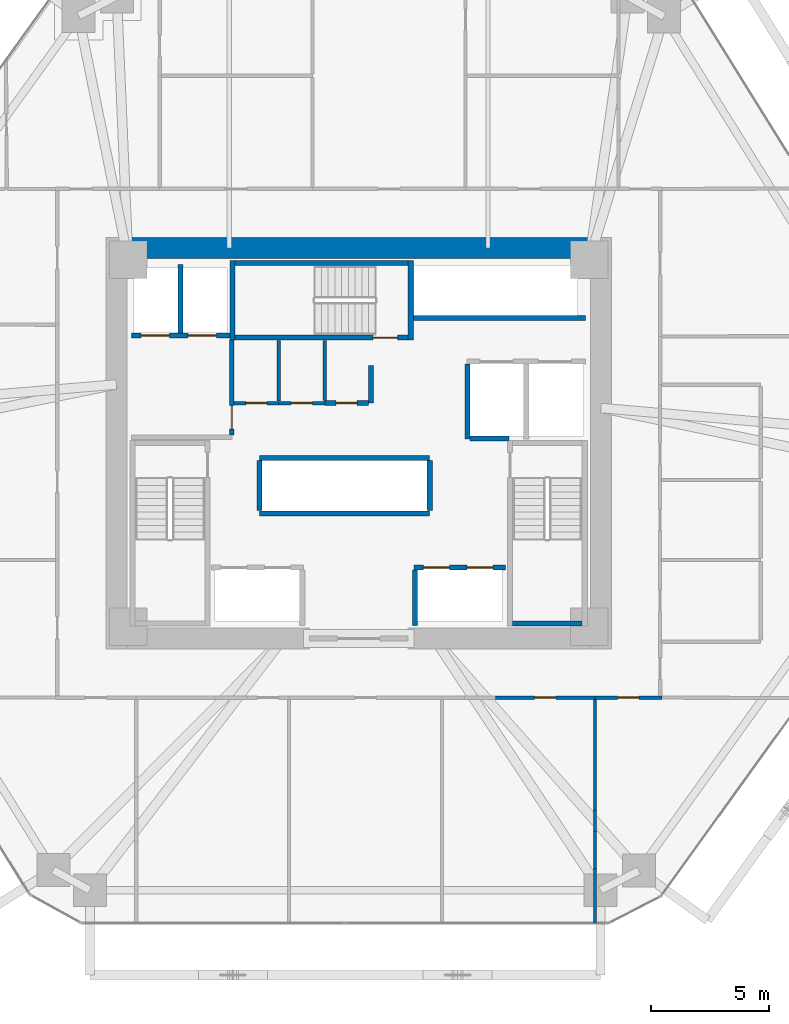
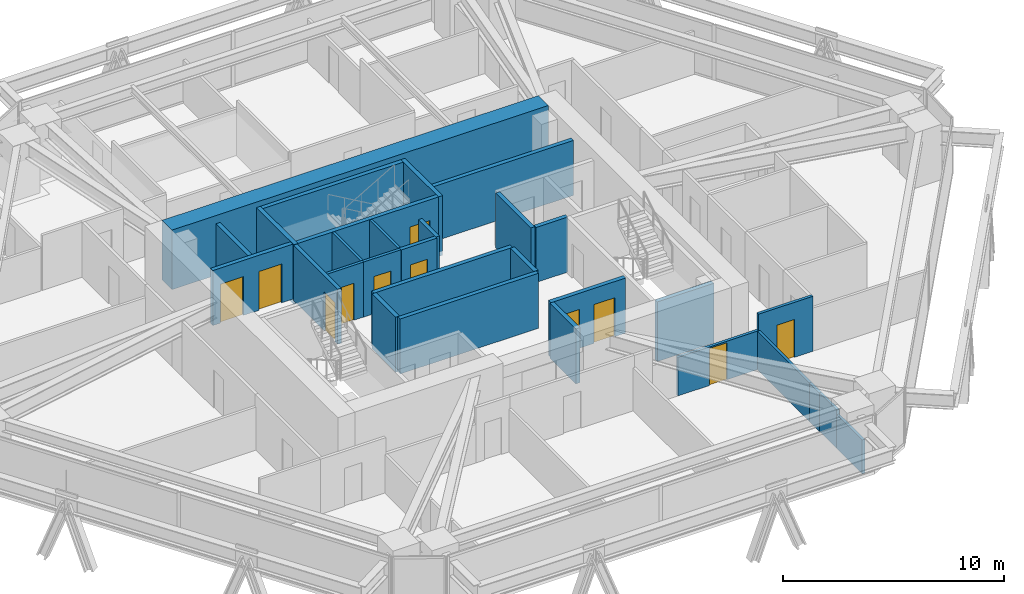
# One storey, part 14 of 17: 30 walls, 11 doors, 11 openings.
"""IFC4 building model written with IfcOpenShell, lengths in metres."""

import ifcopenshell
import ifcopenshell.guid

model = None  # the IFC model being written
_history = None  # IfcOwnerHistory: only IFC2X3 demands one
_inside = {}  # id of a spatial element -> (the spatial element, [elements in it])
_under = {}  # id of a project, library or spatial element -> (it, [spatial elements below it])
_declared = {}  # id of a project -> (the project, [libraries it declares])
_typed = {}  # id of a type object -> (the type object, [elements of that type])
_made_of = {}  # id of a material, layer set ... -> (it, [elements and type objects made of it])


def new_model(schema):
    """Start an empty IFC model of exactly this schema.

    Asked for "IFC4X3", IfcOpenShell would pick the latest addendum, in which some entities
    have other attributes; the version numbers below select the first issue.
    IFC2X3 requires an IfcOwnerHistory on every rooted entity: one is made here for all.
    """
    global model, _history
    if schema == "IFC4X3":
        model = ifcopenshell.file(schema_version=(4, 3, 0, 0))
    else:
        model = ifcopenshell.file(schema=schema)
    _inside.clear()
    _under.clear()
    _declared.clear()
    _typed.clear()
    _made_of.clear()
    _history = None
    if model.schema == "IFC2X3":
        org = make("IfcOrganization", Name="unknown")
        user = make(
            "IfcPersonAndOrganization",
            ThePerson=make("IfcPerson", FamilyName="unknown"),
            TheOrganization=org,
        )
        app = make(
            "IfcApplication",
            ApplicationDeveloper=org,
            Version="unknown",
            ApplicationFullName="unknown",
            ApplicationIdentifier="unknown",
        )
        _history = make(
            "IfcOwnerHistory",
            OwningUser=user,
            OwningApplication=app,
            ChangeAction="ADDED",
            CreationDate=0,
        )
    return model


def make(cls, **values):
    """One entity of the class cls with the attributes given. An attribute that is None is left unset."""
    return model.create_entity(
        cls, **{name: value for name, value in values.items() if value is not None}
    )


def rooted(cls, **values):
    """An entity with a GlobalId (a new one), such as an element, a storey or a relation."""
    return make(cls, GlobalId=ifcopenshell.guid.new(), OwnerHistory=_history, **values)


def si_unit(unit_type, name, prefix=None):
    """IfcSIUnit, for example si_unit("LENGTHUNIT", "METRE", prefix="MILLI")."""
    return make("IfcSIUnit", UnitType=unit_type, Prefix=prefix, Name=name)


def assignment(units):
    """IfcUnitAssignment: the units of a project."""
    return None if units is None else make("IfcUnitAssignment", Units=units)


def point(xyz):
    """IfcCartesianPoint."""
    return None if xyz is None else make("IfcCartesianPoint", Coordinates=xyz)


def direction(xyz):
    """IfcDirection."""
    return None if xyz is None else make("IfcDirection", DirectionRatios=xyz)


def frame(location, z_axis=None, x_axis=None):
    """IfcAxis2Placement3D, a coordinate frame: its origin and axes. An axis left out is left unset."""
    return make(
        "IfcAxis2Placement3D",
        Location=point(location),
        Axis=direction(z_axis),
        RefDirection=direction(x_axis),
    )


def frame_2d(location, x_axis=None):
    """IfcAxis2Placement2D, a coordinate frame in the plane: its origin and x axis."""
    return make(
        "IfcAxis2Placement2D", Location=point(location), RefDirection=direction(x_axis)
    )


def origin():
    """The frame at (0, 0, 0) with its axes left unset."""
    return frame((0.0, 0.0, 0.0))


def place(relative_to, where):
    """IfcLocalPlacement: puts the frame where relative to a parent placement (None: the world)."""
    return make(
        "IfcLocalPlacement", PlacementRelTo=relative_to, RelativePlacement=where
    )


def context(
    kind, dimensions, precision=None, world=None, true_north=None, identifier=None
):
    """IfcGeometricRepresentationContext, for example the 3D "Model" context."""
    return make(
        "IfcGeometricRepresentationContext",
        ContextIdentifier=identifier,
        ContextType=kind,
        CoordinateSpaceDimension=dimensions,
        Precision=precision,
        WorldCoordinateSystem=world,
        TrueNorth=true_north,
    )


def subcontext(parent, identifier, kind, view, scale=None):
    """IfcGeometricRepresentationSubContext, for example "Body" below "Model"."""
    return make(
        "IfcGeometricRepresentationSubContext",
        ContextIdentifier=identifier,
        ContextType=kind,
        ParentContext=parent,
        TargetScale=scale,
        TargetView=view,
    )


def project(units=None, contexts=None):
    """IfcProject with its units and contexts."""
    return rooted(
        "IfcProject",
        Name="project",
        RepresentationContexts=contexts,
        UnitsInContext=assignment(units),
    )


def spatial(cls, under=None, at=None, **own):
    """A site, building, storey or space (cls), placed at a placement, below another one or the project."""
    s = rooted(cls, ObjectPlacement=at, **own)
    if under is not None:
        _under.setdefault(under.id(), (under, []))[1].append(s)
    return s


def profile(cls, at=None, kind="AREA", **sizes):
    """A parametric profile (cls). Its sizes go by their IFC names, for example OverallWidth=200.0."""
    return make(cls, ProfileType=kind, Position=at, **sizes)


def rectangle(**sizes):
    """IfcRectangleProfileDef."""
    return profile("IfcRectangleProfileDef", **sizes)


def extrude(swept, where, along, depth):
    """IfcExtrudedAreaSolid: the profile swept, set in the frame where, extruded along a direction by depth."""
    return make(
        "IfcExtrudedAreaSolid",
        SweptArea=swept,
        Position=where,
        ExtrudedDirection=direction(along),
        Depth=depth,
    )


def shape(context_of_items, identifier, shape_type, items):
    """IfcShapeRepresentation: the items that make up one representation, for example the "Body"."""
    return make(
        "IfcShapeRepresentation",
        ContextOfItems=context_of_items,
        RepresentationIdentifier=identifier,
        RepresentationType=shape_type,
        Items=items,
    )


def source(mapping_origin, context_of_items, identifier, shape_type, items):
    """IfcRepresentationMap: a shape defined once, which mapped items show again and again."""
    return make(
        "IfcRepresentationMap",
        MappingOrigin=mapping_origin,
        MappedRepresentation=shape(context_of_items, identifier, shape_type, items),
    )


def transform(
    local_origin,
    x_axis=None,
    y_axis=None,
    z_axis=None,
    scale=None,
    scale2=None,
    scale3=None,
    uniform=True,
):
    """IfcCartesianTransformationOperator3D, or its non-uniform kind. x_axis, y_axis, z_axis: its Axis1, 2, 3."""
    if uniform:
        return make(
            "IfcCartesianTransformationOperator3D",
            Axis1=direction(x_axis),
            Axis2=direction(y_axis),
            LocalOrigin=point(local_origin),
            Scale=scale,
            Axis3=direction(z_axis),
        )
    return make(
        "IfcCartesianTransformationOperator3DnonUniform",
        Axis1=direction(x_axis),
        Axis2=direction(y_axis),
        LocalOrigin=point(local_origin),
        Scale=scale,
        Axis3=direction(z_axis),
        Scale2=scale2,
        Scale3=scale3,
    )


def mapped(mapping_source, mapping_target):
    """IfcMappedItem: shows the shape of a source again, moved by a transform."""
    return make(
        "IfcMappedItem", MappingSource=mapping_source, MappingTarget=mapping_target
    )


def material(Name=None, Category=None):
    """IfcMaterial."""
    return make("IfcMaterial", Name=Name, Category=Category)


def layer(
    of_material, thickness, ventilated=None, Name=None, Category=None, Priority=None
):
    """IfcMaterialLayer: one layer of a wall or slab, of a material (None: an air gap)."""
    return make(
        "IfcMaterialLayer",
        Material=of_material,
        LayerThickness=thickness,
        IsVentilated=ventilated,
        Name=Name,
        Category=Category,
        Priority=Priority,
    )


def layer_set(layers, Name=None):
    """IfcMaterialLayerSet."""
    return make("IfcMaterialLayerSet", MaterialLayers=layers, LayerSetName=Name)


def made_of(thing, what):
    """Note that an element or type object is made of a material, layer set ...; save() writes the relation."""
    if what is not None:
        _made_of.setdefault(what.id(), (what, []))[1].append(thing)
    return thing


def type_object(cls, material=None, **own):
    """A type object (cls), such as IfcWallType, which elements share."""
    return made_of(rooted(cls, **own), material)


def type_shapes(of_type, sources):
    """Give a type object the sources (RepresentationMaps) that its elements show as mapped items."""
    of_type.RepresentationMaps = sources


def element(
    cls,
    number,
    at=None,
    inside=None,
    cuts=None,
    type_object=None,
    material=None,
    context=None,
    identifier="Body",
    shape_type=None,
    held_by="IfcProductDefinitionShape",
    body=None,
    shapes=None,
    **own,
):
    """One element of the class cls, such as IfcWall. Its Tag is "e" and its number.

    at: its placement. inside: the storey or other place that contains it. cuts: it is an
    opening in that element (IfcRelVoidsElement). A single representation is given by context,
    identifier, shape_type and body (its items); several are given by shapes. held_by: the class
    of the entity that holds the representations. save() writes the other relations.
    """
    e = rooted(cls, Tag="e%d" % number, ObjectPlacement=at, **own)
    if body is not None:
        shapes = [shape(context, identifier, shape_type, body)]
    if shapes is not None:
        e.Representation = make(held_by, Representations=shapes)
    if inside is not None:
        _inside.setdefault(inside.id(), (inside, []))[1].append(e)
    if cuts is not None:
        rooted(
            "IfcRelVoidsElement", RelatingBuildingElement=cuts, RelatedOpeningElement=e
        )
    if type_object is not None:
        _typed.setdefault(type_object.id(), (type_object, []))[1].append(e)
    return made_of(e, material)


def fill(opening, filler):
    """IfcRelFillsElement: the door or window that sits in an opening."""
    return rooted(
        "IfcRelFillsElement",
        RelatingOpeningElement=opening,
        RelatedBuildingElement=filler,
    )


def aggregate(whole, parts):
    """IfcRelAggregates: a whole, such as a stair, and the parts it consists of."""
    return rooted("IfcRelAggregates", RelatingObject=whole, RelatedObjects=parts)


def save(model, path):
    """Write the relations noted so far, then the file.

    IfcRelAggregates (storeys below a building ...), IfcRelContainedInSpatialStructure (elements
    in a storey), IfcRelDefinesByType, IfcRelAssociatesMaterial and IfcRelDeclares: one each for
    every whole, place, type object, material and project.
    """
    for whole, parts in _under.values():
        aggregate(whole, parts)
    for where, things in _inside.values():
        rooted(
            "IfcRelContainedInSpatialStructure",
            RelatedElements=things,
            RelatingStructure=where,
        )
    for kind, things in _typed.values():
        rooted("IfcRelDefinesByType", RelatedObjects=things, RelatingType=kind)
    for what, things in _made_of.values():
        rooted("IfcRelAssociatesMaterial", RelatedObjects=things, RelatingMaterial=what)
    for by, libraries in _declared.values():
        rooted("IfcRelDeclares", RelatingContext=by, RelatedDefinitions=libraries)
    model.write(path)


model = new_model("IFC4")

# Units and contexts
model_context = context("Model", 3, precision=1e-05, world=origin(), true_north=direction((0.0, 1.0)))
body_context = subcontext(model_context, "Body", "Model", "MODEL_VIEW")
ifc_project = project(units=[si_unit("LENGTHUNIT", "METRE"), si_unit("AREAUNIT", "SQUARE_METRE"), si_unit("VOLUMEUNIT", "CUBIC_METRE"), si_unit("PLANEANGLEUNIT", "RADIAN"), si_unit("MASSUNIT", "GRAM", prefix="KILO")], contexts=[model_context])

# Site, building, storey
site_placement = place(None, origin())
site = spatial("IfcSite", under=ifc_project, at=site_placement, CompositionType="ELEMENT")
building_placement = place(site_placement, origin())
building = spatial("IfcBuilding", under=site, at=building_placement, Name="Durnholm Broadcast Tower", CompositionType="ELEMENT")
storey_placement = place(building_placement, frame((0.0, 0.0, 39.0)))
storey = spatial("IfcBuildingStorey", under=building, at=storey_placement, Name="L08", CompositionType="ELEMENT", Elevation=39.0)

# Wall
ifc_material_1 = material(Name="Concrete C70/85", Category="concrete")
ifc_layer_1 = layer(ifc_material_1, 0.89990234375)
ifc_layer_set_1 = layer_set([ifc_layer_1], Name="Concrete C70/85")
wall_type_1 = type_object("IfcWallType", Name="WALL-CW-900", PredefinedType="SHEAR", material=ifc_layer_set_1)
wall_1_placement = place(storey_placement, frame((-9.85009765625, 8.300048828125, 0.0), z_axis=(0.0, 0.0, 1.0), x_axis=(1.0, 0.0, 0.0)))
element("IfcWall", 1, at=wall_1_placement, inside=storey, type_object=wall_type_1, Name="L08 central core shear wall CW-N", PredefinedType="SHEAR", context=body_context, shape_type="SweptSolid", body=[
    extrude(rectangle(XDim=19.7001953125, YDim=0.89990234375, at=frame_2d((9.85009765625, 0.0))), origin(), (0.0, 0.0, 1.0), 3.300048828125),
])

# Wall, opening, door
ifc_material_2 = material(Name="Fire-Rated Gypsum Shaftwall", Category="concrete")
ifc_layer_2 = layer(ifc_material_2, 0.199951171875)
ifc_layer_set_2 = layer_set([ifc_layer_2], Name="Fire-Rated Gypsum Shaftwall")
wall_type_2 = type_object("IfcWallType", Name="WALL-LOB-200", PredefinedType="SOLIDWALL", material=ifc_layer_set_2)
wall_2_placement = place(storey_placement, frame((-5.39990234375, 0.35400390625, 0.0), z_axis=(0.0, 0.0, 1.0), x_axis=(0.0, 1.0, 0.0)))
wall_2 = element("IfcWall", 2, at=wall_2_placement, inside=storey, type_object=wall_type_2, Name="L08 Fire Service Access Elevator lobby east fire wall", PredefinedType="SOLIDWALL", context=body_context, shape_type="SweptSolid", body=[
    extrude(rectangle(XDim=4.02587890625, YDim=0.199951171875, at=frame_2d((2.012939453125, 0.0))), origin(), (0.0, 0.0, 1.0), 3.044921875),
])
opening_1_placement = place(wall_2_placement, frame((0.24609375, 0.0, 0.0)))
opening_1 = element("IfcOpeningElement", 3, at=opening_1_placement, cuts=wall_2, Name="Opening DL-60L", PredefinedType="OPENING", context=body_context, shape_type="SweptSolid", body=[
    extrude(rectangle(XDim=1.0, YDim=2.14990234375, at=frame_2d((0.5, 1.074951171875))), frame((0.0, 0.10986328125, 0.0), z_axis=(0.0, -1.0, 0.0), x_axis=(1.0, 0.0, 0.0)), (0.0, 0.0, 1.0), 0.219970703125),
])
ifc_material_3 = material(Name="Fire-Rated Timber/Steel Door", Category="steel")
ifc_layer_3 = layer(ifc_material_3, 0.050048828125)
ifc_layer_set_3 = layer_set([ifc_layer_3], Name="Fire-Rated Timber/Steel Door")
door_type_1 = type_object("IfcDoorType", Name="DOOR-LOB-FD60-L", OperationType="NOTDEFINED", PredefinedType="DOOR", material=ifc_layer_set_3)
shared_shape_1 = source(origin(), body_context, "Body", "SweptSolid", [
    extrude(rectangle(XDim=1.0, YDim=2.14990234375, at=frame_2d((0.5, 1.074951171875))), frame((0.0, 0.02490234375, 0.0), z_axis=(0.0, -1.0, 0.0), x_axis=(1.0, 0.0, 0.0)), (0.0, 0.0, 1.0), 0.050048828125),
])
type_shapes(door_type_1, [shared_shape_1])
door_1_placement = place(opening_1_placement, origin())
door_1 = element("IfcDoor", 4, at=door_1_placement, inside=storey, type_object=door_type_1, Name="L08 Fire Service Access Elevator lobby smoke door", OperationType="SINGLE_SWING_LEFT", OverallHeight=2.14990234375, OverallWidth=1.0, PredefinedType="DOOR", context=body_context, shape_type="MappedRepresentation", body=[
    mapped(shared_shape_1, transform((0.0, 0.0, 0.0), x_axis=(1.0, 0.0, 0.0), y_axis=(0.0, 1.0, 0.0), z_axis=(0.0, 0.0, 1.0), scale=1.0)),
])
fill(opening_1, door_1)

# Wall
wall_3_placement = place(storey_placement, frame((0.52001953125, 3.300048828125, 0.0), z_axis=(0.0, 0.0, 1.0), x_axis=(0.0, -1.0, 0.0)))
element("IfcWall", 5, at=wall_3_placement, inside=storey, type_object=wall_type_2, Name="L08 Core Telecom Patch Room corridor partition", PredefinedType="SOLIDWALL", context=body_context, shape_type="SweptSolid", body=[
    extrude(rectangle(XDim=1.590087890625, YDim=0.199951171875, at=frame_2d((0.794921875, 0.0))), origin(), (0.0, 0.0, 1.0), 3.044921875),
])

# Wall, opening, door
wall_4_placement = place(storey_placement, frame((0.416015625, 1.7099609375, 0.0), z_axis=(0.0, 0.0, 1.0), x_axis=(-1.0, 0.0, 0.0)))
wall_4 = element("IfcWall", 6, at=wall_4_placement, inside=storey, type_object=wall_type_2, Name="L08 Core Telecom Patch Room corridor partition", PredefinedType="SOLIDWALL", context=body_context, shape_type="SweptSolid", body=[
    extrude(rectangle(XDim=1.85595703125, YDim=0.199951171875, at=frame_2d((0.927978515625, 0.0))), origin(), (0.0, 0.0, 1.0), 3.044921875),
])
opening_2_placement = place(wall_4_placement, frame((0.47802734375, 0.0, 0.0)))
opening_2 = element("IfcOpeningElement", 7, at=opening_2_placement, cuts=wall_4, Name="Opening DC-60L", PredefinedType="OPENING", context=body_context, shape_type="SweptSolid", body=[
    extrude(rectangle(XDim=0.89990234375, YDim=2.050048828125, at=frame_2d((0.449951171875, 1.02490234375))), frame((0.0, 0.10986328125, 0.0), z_axis=(0.0, -1.0, 0.0), x_axis=(1.0, 0.0, 0.0)), (0.0, 0.0, 1.0), 0.219970703125),
])
ifc_material_4 = material(Name="Fire-Rated Core Service Door", Category="steel")
ifc_layer_4 = layer(ifc_material_4, 0.050048828125)
ifc_layer_set_4 = layer_set([ifc_layer_4], Name="Fire-Rated Core Service Door")
door_type_2 = type_object("IfcDoorType", Name="DOOR-CORE-FD60-L", OperationType="NOTDEFINED", PredefinedType="DOOR", material=ifc_layer_set_4)
shared_shape_2 = source(origin(), body_context, "Body", "SweptSolid", [
    extrude(rectangle(XDim=0.89990234375, YDim=2.050048828125, at=frame_2d((0.449951171875, 1.02490234375))), frame((0.0, 0.02490234375, 0.0), z_axis=(0.0, -1.0, 0.0), x_axis=(1.0, 0.0, 0.0)), (0.0, 0.0, 1.0), 0.050048828125),
])
type_shapes(door_type_2, [shared_shape_2])
door_2_placement = place(opening_2_placement, origin())
door_2 = element("IfcDoor", 8, at=door_2_placement, inside=storey, type_object=door_type_2, Name="L08 Core Telecom Patch Room entrance door", OperationType="SINGLE_SWING_LEFT", OverallHeight=2.050048828125, OverallWidth=0.89990234375, PredefinedType="DOOR", context=body_context, shape_type="MappedRepresentation", body=[
    mapped(shared_shape_2, transform((0.0, 0.0, 0.0), x_axis=(1.0, 0.0, 0.0), y_axis=(0.0, 1.0, 0.0), z_axis=(0.0, 0.0, 1.0), scale=1.0)),
])
fill(opening_2, door_2)

# Walls
ifc_material_5 = material(Name="Gypsum Metal Stud Partition", Category="concrete")
ifc_layer_5 = layer(ifc_material_5, 0.135009765625)
ifc_layer_set_5 = layer_set([ifc_layer_5], Name="Gypsum Metal Stud Partition")
wall_type_3 = type_object("IfcWallType", Name="WALL-PART-135", PredefinedType="PARTITIONING", material=ifc_layer_set_5)
wall_5_placement = place(storey_placement, frame((-3.39990234375, 4.375, 0.0), z_axis=(0.0, 0.0, 1.0), x_axis=(0.0, -1.0, 0.0)))
element("IfcWall", 9, at=wall_5_placement, inside=storey, type_object=wall_type_3, Name="L08 room dividing partition 1.2", PredefinedType="PARTITIONING", context=body_context, shape_type="SweptSolid", body=[
    extrude(rectangle(XDim=2.5859375, YDim=0.135009765625, at=frame_2d((1.29296875, 0.0))), origin(), (0.0, 0.0, 1.0), 3.044921875),
])
wall_6_placement = place(storey_placement, frame((-1.43994140625, 4.375, 0.0), z_axis=(0.0, 0.0, 1.0), x_axis=(0.0, -1.0, 0.0)))
element("IfcWall", 10, at=wall_6_placement, inside=storey, type_object=wall_type_3, Name="L08 room dividing partition 2.3", PredefinedType="PARTITIONING", context=body_context, shape_type="SweptSolid", body=[
    extrude(rectangle(XDim=2.56103515625, YDim=0.135009765625, at=frame_2d((1.280517578125, 0.0))), origin(), (0.0, 0.0, 1.0), 3.044921875),
])
wall_7_placement = place(storey_placement, frame((10.0400390625, -10.888916015625, 0.0), z_axis=(0.0, 0.0, 1.0), x_axis=(0.0, -1.0, 0.0)))
element("IfcWall", 11, at=wall_7_placement, inside=storey, type_object=wall_type_3, Name="L08 room dividing partition 18.19", PredefinedType="PARTITIONING", context=body_context, shape_type="SweptSolid", body=[
    extrude(rectangle(XDim=4.706787109375, YDim=0.135009765625, at=frame_2d((2.353515625, 0.0))), origin(), (0.0, 0.0, 1.0), 2.130126953125),
])
wall_8_placement = place(storey_placement, frame((10.0400390625, -16.508544921875, 0.0), z_axis=(0.0, 0.0, 1.0), x_axis=(0.0, -1.0, 0.0)))
element("IfcWall", 12, at=wall_8_placement, inside=storey, type_object=wall_type_3, Name="L08 room dividing partition 18.19", PredefinedType="PARTITIONING", context=body_context, shape_type="SweptSolid", body=[
    extrude(rectangle(XDim=1.57763671875, YDim=0.135009765625, at=frame_2d((0.788818359375, 0.0))), origin(), (0.0, 0.0, 1.0), 2.130126953125),
])
wall_9_placement = place(storey_placement, frame((10.0400390625, -15.595703125, 0.0), z_axis=(0.0, 0.0, 1.0), x_axis=(0.0, -1.0, 0.0)))
element("IfcWall", 13, at=wall_9_placement, inside=storey, type_object=wall_type_3, Name="L08 room dividing partition 18.19", PredefinedType="PARTITIONING", context=body_context, shape_type="SweptSolid", body=[
    extrude(rectangle(XDim=0.912841796875, YDim=0.135009765625, at=frame_2d((0.45654296875, 0.0))), origin(), (0.0, 0.0, 1.0), 2.130126953125),
])
wall_10_placement = place(storey_placement, frame((10.0400390625, -18.086181640625, 0.0), z_axis=(0.0, 0.0, 1.0), x_axis=(0.0, -1.0, 0.0)))
element("IfcWall", 14, at=wall_10_placement, inside=storey, type_object=wall_type_3, Name="L08 room dividing partition 18.19", PredefinedType="PARTITIONING", context=body_context, shape_type="SweptSolid", body=[
    extrude(rectangle(XDim=2.313720703125, YDim=0.135009765625, at=frame_2d((1.15673828125, 0.0))), origin(), (0.0, 0.0, 1.0), 1.877197265625),
])

# Wall, opening, door
ifc_material_6 = material(Name="Acoustic Gypsum Stud Partition", Category="concrete")
ifc_layer_6 = layer(ifc_material_6, 0.14990234375)
ifc_layer_set_6 = layer_set([ifc_layer_6], Name="Acoustic Gypsum Stud Partition")
wall_type_4 = type_object("IfcWallType", Name="WALL-PART-150", PredefinedType="PARTITIONING", material=ifc_layer_set_6)
wall_11_placement = place(storey_placement, frame((-3.39990234375, 1.7099609375, 0.0), z_axis=(0.0, 0.0, 1.0), x_axis=(-1.0, 0.0, 0.0)))
wall_11 = element("IfcWall", 15, at=wall_11_placement, inside=storey, type_object=wall_type_4, Name="L08 Core Copy and Print Closet corridor partition", PredefinedType="PARTITIONING", context=body_context, shape_type="SweptSolid", body=[
    extrude(rectangle(XDim=1.89599609375, YDim=0.14990234375, at=frame_2d((0.947998046875, 0.0))), origin(), (0.0, 0.0, 1.0), 3.044921875),
])
opening_3_placement = place(wall_11_placement, frame((0.498046875, 0.0, 0.0)))
opening_3 = element("IfcOpeningElement", 16, at=opening_3_placement, cuts=wall_11, Name="Opening DC-60L", PredefinedType="OPENING", context=body_context, shape_type="SweptSolid", body=[
    extrude(rectangle(XDim=0.89990234375, YDim=2.050048828125, at=frame_2d((0.449951171875, 1.02490234375))), frame((0.0, 0.0849609375, 0.0), z_axis=(0.0, -1.0, 0.0), x_axis=(1.0, 0.0, 0.0)), (0.0, 0.0, 1.0), 0.169921875),
])
door_3_placement = place(opening_3_placement, origin())
door_3 = element("IfcDoor", 17, at=door_3_placement, inside=storey, type_object=door_type_2, Name="L08 Core Copy and Print Closet entrance door", OperationType="SINGLE_SWING_LEFT", OverallHeight=2.050048828125, OverallWidth=0.89990234375, PredefinedType="DOOR", context=body_context, shape_type="MappedRepresentation", body=[
    mapped(shared_shape_2, transform((0.0, 0.0, 0.0), x_axis=(1.0, 0.0, 0.0), y_axis=(0.0, 1.0, 0.0), z_axis=(0.0, 0.0, 1.0), scale=1.0)),
])
fill(opening_3, door_3)

wall_12_placement = place(storey_placement, frame((-1.43994140625, 1.7099609375, 0.0), z_axis=(0.0, 0.0, 1.0), x_axis=(-1.0, 0.0, 0.0)))
wall_12 = element("IfcWall", 18, at=wall_12_placement, inside=storey, type_object=wall_type_4, Name="L08 Core Janitor Supply Closet corridor partition", PredefinedType="PARTITIONING", context=body_context, shape_type="SweptSolid", body=[
    extrude(rectangle(XDim=1.9599609375, YDim=0.14990234375, at=frame_2d((0.97998046875, 0.0))), origin(), (0.0, 0.0, 1.0), 3.044921875),
])
opening_4_placement = place(wall_12_placement, frame((0.530029296875, 0.0, 0.0)))
opening_4 = element("IfcOpeningElement", 19, at=opening_4_placement, cuts=wall_12, Name="Opening DC-60R", PredefinedType="OPENING", context=body_context, shape_type="SweptSolid", body=[
    extrude(rectangle(XDim=0.89990234375, YDim=2.050048828125, at=frame_2d((0.449951171875, 1.02490234375))), frame((0.0, 0.0849609375, 0.0), z_axis=(0.0, -1.0, 0.0), x_axis=(1.0, 0.0, 0.0)), (0.0, 0.0, 1.0), 0.169921875),
])
ifc_layer_7 = layer(ifc_material_4, 0.050048828125)
ifc_layer_set_7 = layer_set([ifc_layer_7], Name="Fire-Rated Core Service Door")
door_type_3 = type_object("IfcDoorType", Name="DOOR-CORE-FD60-R", OperationType="NOTDEFINED", PredefinedType="DOOR", material=ifc_layer_set_7)
shared_shape_3 = source(origin(), body_context, "Body", "SweptSolid", [
    extrude(rectangle(XDim=0.89990234375, YDim=2.050048828125, at=frame_2d((0.449951171875, 1.02490234375))), frame((0.0, 0.02490234375, 0.0), z_axis=(0.0, -1.0, 0.0), x_axis=(1.0, 0.0, 0.0)), (0.0, 0.0, 1.0), 0.050048828125),
])
type_shapes(door_type_3, [shared_shape_3])
door_4_placement = place(opening_4_placement, origin())
door_4 = element("IfcDoor", 20, at=door_4_placement, inside=storey, type_object=door_type_3, Name="L08 Core Janitor Supply Closet entrance door", OperationType="SINGLE_SWING_RIGHT", OverallHeight=2.050048828125, OverallWidth=0.89990234375, PredefinedType="DOOR", context=body_context, shape_type="MappedRepresentation", body=[
    mapped(shared_shape_3, transform((0.0, 0.0, 0.0), x_axis=(1.0, 0.0, 0.0), y_axis=(0.0, 1.0, 0.0), z_axis=(0.0, 0.0, 1.0), scale=1.0)),
])
fill(opening_4, door_4)

wall_13_placement = place(storey_placement, frame((5.8173828125, -10.81005859375, 0.0), z_axis=(0.0, 0.0, 1.0), x_axis=(1.0, 0.0, 0.0)))
wall_13 = element("IfcWall", 21, at=wall_13_placement, inside=storey, type_object=wall_type_4, Name="L08 Video Edit Office 1 corridor partition", PredefinedType="PARTITIONING", context=body_context, shape_type="SweptSolid", body=[
    extrude(rectangle(XDim=4.22265625, YDim=0.14990234375, at=frame_2d((2.111328125, 0.0))), origin(), (0.0, 0.0, 1.0), 2.130126953125),
])
opening_5_placement = place(wall_13_placement, frame((1.661376953125, 0.0, 0.0)))
opening_5 = element("IfcOpeningElement", 22, at=opening_5_placement, cuts=wall_13, Name="Opening DW-90R", PredefinedType="OPENING", context=body_context, shape_type="SweptSolid", body=[
    extrude(rectangle(XDim=0.89990234375, YDim=2.050048828125, at=frame_2d((0.449951171875, 1.02490234375))), frame((0.0, 0.0849609375, 0.0), z_axis=(0.0, -1.0, 0.0), x_axis=(1.0, 0.0, 0.0)), (0.0, 0.0, 1.0), 0.169921875),
])
ifc_material_7 = material(Name="Laminate Restroom Door", Category="steel")
ifc_layer_8 = layer(ifc_material_7, 0.050048828125)
ifc_layer_set_8 = layer_set([ifc_layer_8], Name="Laminate Restroom Door")
door_type_4 = type_object("IfcDoorType", Name="DOOR-WC-900R", OperationType="NOTDEFINED", PredefinedType="DOOR", material=ifc_layer_set_8)
shared_shape_4 = source(origin(), body_context, "Body", "SweptSolid", [
    extrude(rectangle(XDim=0.89990234375, YDim=2.050048828125, at=frame_2d((0.449951171875, 1.02490234375))), frame((0.0, 0.02490234375, 0.0), z_axis=(0.0, -1.0, 0.0), x_axis=(1.0, 0.0, 0.0)), (0.0, 0.0, 1.0), 0.050048828125),
])
type_shapes(door_type_4, [shared_shape_4])
door_5_placement = place(opening_5_placement, origin())
door_5 = element("IfcDoor", 23, at=door_5_placement, inside=storey, type_object=door_type_4, Name="L08 Video Edit Office 1 entrance door", OperationType="SINGLE_SWING_RIGHT", OverallHeight=2.050048828125, OverallWidth=0.89990234375, PredefinedType="DOOR", context=body_context, shape_type="MappedRepresentation", body=[
    mapped(shared_shape_4, transform((0.0, 0.0, 0.0), x_axis=(1.0, 0.0, 0.0), y_axis=(0.0, 1.0, 0.0), z_axis=(0.0, 0.0, 1.0), scale=1.0)),
])
fill(opening_5, door_5)

wall_14_placement = place(storey_placement, frame((10.0400390625, -10.81005859375, 0.0), z_axis=(0.0, 0.0, 1.0), x_axis=(1.0, 0.0, 0.0)))
wall_14 = element("IfcWall", 24, at=wall_14_placement, inside=storey, type_object=wall_type_4, Name="L08 Video Edit Office 2 corridor partition", PredefinedType="PARTITIONING", context=body_context, shape_type="SweptSolid", body=[
    extrude(rectangle(XDim=2.849853515625, YDim=0.14990234375, at=frame_2d((1.4248046875, 0.0))), origin(), (0.0, 0.0, 1.0), 3.044921875),
])
opening_6_placement = place(wall_14_placement, frame((0.965087890625, 0.0, 0.0)))
opening_6 = element("IfcOpeningElement", 25, at=opening_6_placement, cuts=wall_14, Name="Opening DR-92L", PredefinedType="OPENING", context=body_context, shape_type="SweptSolid", body=[
    extrude(rectangle(XDim=0.919921875, YDim=2.10009765625, at=frame_2d((0.4599609375, 1.050048828125))), frame((0.0, 0.0849609375, 0.0), z_axis=(0.0, -1.0, 0.0), x_axis=(1.0, 0.0, 0.0)), (0.0, 0.0, 1.0), 0.169921875),
])
ifc_material_8 = material(Name="Oak Veneer Office Door", Category="wood")
ifc_layer_9 = layer(ifc_material_8, 0.050048828125)
ifc_layer_set_9 = layer_set([ifc_layer_9], Name="Oak Veneer Office Door")
door_type_5 = type_object("IfcDoorType", Name="DOOR-RM-920L", OperationType="NOTDEFINED", PredefinedType="DOOR", material=ifc_layer_set_9)
shared_shape_5 = source(origin(), body_context, "Body", "SweptSolid", [
    extrude(rectangle(XDim=0.919921875, YDim=2.10009765625, at=frame_2d((0.4599609375, 1.050048828125))), frame((0.0, 0.02490234375, 0.0), z_axis=(0.0, -1.0, 0.0), x_axis=(1.0, 0.0, 0.0)), (0.0, 0.0, 1.0), 0.050048828125),
])
type_shapes(door_type_5, [shared_shape_5])
door_6_placement = place(opening_6_placement, origin())
door_6 = element("IfcDoor", 26, at=door_6_placement, inside=storey, type_object=door_type_5, Name="L08 Video Edit Office 2 entrance door", OperationType="SINGLE_SWING_LEFT", OverallHeight=2.10009765625, OverallWidth=0.919921875, PredefinedType="DOOR", context=body_context, shape_type="MappedRepresentation", body=[
    mapped(shared_shape_5, transform((0.0, 0.0, 0.0), x_axis=(1.0, 0.0, 0.0), y_axis=(0.0, 1.0, 0.0), z_axis=(0.0, 0.0, 1.0), scale=1.0)),
])
fill(opening_6, door_6)

# Wall, openings, doors
ifc_material_9 = material(Name="Concrete Blockwork C30/37", Category="masonry")
ifc_layer_10 = layer(ifc_material_9, 0.219970703125)
ifc_layer_set_10 = layer_set([ifc_layer_10], Name="Concrete Blockwork C30/37")
wall_type_5 = type_object("IfcWallType", Name="WALL-SHAFT-220", PredefinedType="SOLIDWALL", material=ifc_layer_set_10)
wall_15_placement = place(storey_placement, frame((-9.64990234375, 4.580078125, 0.0), z_axis=(0.0, 0.0, 1.0), x_axis=(1.0, 0.0, 0.0)))
wall_15 = element("IfcWall", 27, at=wall_15_placement, inside=storey, type_object=wall_type_5, Name="L08 FSAE hoistway front fire wall", PredefinedType="SOLIDWALL", context=body_context, shape_type="SweptSolid", body=[
    extrude(rectangle(XDim=4.1748046875, YDim=0.219970703125, at=frame_2d((2.08740234375, 0.0))), origin(), (0.0, 0.0, 1.0), 3.044921875),
])
opening_7_placement = place(wall_15_placement, frame((0.39990234375, 0.0, 0.0)))
opening_7 = element("IfcOpeningElement", 28, at=opening_7_placement, cuts=wall_15, Name="Opening LD-FSAE-2", PredefinedType="OPENING", context=body_context, shape_type="SweptSolid", body=[
    extrude(rectangle(XDim=1.199951171875, YDim=2.14990234375, at=frame_2d((0.60009765625, 1.074951171875))), frame((0.0, 0.1201171875, 0.0), z_axis=(0.0, -1.0, 0.0), x_axis=(1.0, 0.0, 0.0)), (0.0, 0.0, 1.0), 0.239990234375),
])
opening_8_placement = place(wall_15_placement, frame((2.39990234375, 0.0, 0.0)))
opening_8 = element("IfcOpeningElement", 29, at=opening_8_placement, cuts=wall_15, Name="Opening LD-FSAE-1", PredefinedType="OPENING", context=body_context, shape_type="SweptSolid", body=[
    extrude(rectangle(XDim=1.199951171875, YDim=2.14990234375, at=frame_2d((0.60009765625, 1.074951171875))), frame((0.0, 0.1201171875, 0.0), z_axis=(0.0, -1.0, 0.0), x_axis=(1.0, 0.0, 0.0)), (0.0, 0.0, 1.0), 0.239990234375),
])
ifc_material_10 = material(Name="Fire Service Access Sliding Landing Door", Category="steel")
ifc_layer_11 = layer(ifc_material_10, 0.050048828125)
ifc_layer_set_11 = layer_set([ifc_layer_11], Name="Fire Service Access Sliding Landing Door")
door_type_6 = type_object("IfcDoorType", Name="DOOR-LIFT-FSAE", OperationType="DOUBLE_DOOR_SLIDING", PredefinedType="DOOR", material=ifc_layer_set_11)
shared_shape_6 = source(origin(), body_context, "Body", "SweptSolid", [
    extrude(rectangle(XDim=1.199951171875, YDim=2.14990234375, at=frame_2d((0.60009765625, 1.074951171875))), frame((0.0, 0.02490234375, 0.0), z_axis=(0.0, -1.0, 0.0), x_axis=(1.0, 0.0, 0.0)), (0.0, 0.0, 1.0), 0.050048828125),
])
type_shapes(door_type_6, [shared_shape_6])
door_7_placement = place(opening_7_placement, origin())
door_7 = element("IfcDoor", 30, at=door_7_placement, inside=storey, type_object=door_type_6, Name="L08 Fire Service Access Elevator FSAE-2 sliding landing door", OperationType="DOUBLE_DOOR_SLIDING", OverallHeight=2.14990234375, OverallWidth=1.199951171875, PredefinedType="DOOR", context=body_context, shape_type="MappedRepresentation", body=[
    mapped(shared_shape_6, transform((0.0, 0.0, 0.0), x_axis=(1.0, 0.0, 0.0), y_axis=(0.0, 1.0, 0.0), z_axis=(0.0, 0.0, 1.0), scale=1.0)),
])
fill(opening_7, door_7)
door_8_placement = place(opening_8_placement, origin())
door_8 = element("IfcDoor", 31, at=door_8_placement, inside=storey, type_object=door_type_6, Name="L08 Fire Service Access Elevator FSAE-1 sliding landing door", OperationType="DOUBLE_DOOR_SLIDING", OverallHeight=2.14990234375, OverallWidth=1.199951171875, PredefinedType="DOOR", context=body_context, shape_type="MappedRepresentation", body=[
    mapped(shared_shape_6, transform((0.0, 0.0, 0.0), x_axis=(1.0, 0.0, 0.0), y_axis=(0.0, 1.0, 0.0), z_axis=(0.0, 0.0, 1.0), scale=1.0)),
])
fill(opening_8, door_8)

# Walls
wall_16_placement = place(storey_placement, frame((-7.580078125, 4.694091796875, 0.0), z_axis=(0.0, 0.0, 1.0), x_axis=(0.0, 1.0, 0.0)))
element("IfcWall", 32, at=wall_16_placement, inside=storey, type_object=wall_type_5, Name="L08 FSAE shaft divider wall", PredefinedType="SOLIDWALL", context=body_context, shape_type="SweptSolid", body=[
    extrude(rectangle(XDim=2.906005859375, YDim=0.219970703125, at=frame_2d((1.453125, 0.0))), origin(), (0.0, 0.0, 1.0), 3.044921875),
])
wall_17_placement = place(storey_placement, frame((4.6201171875, 0.179931640625, 0.0), z_axis=(0.0, 0.0, 1.0), x_axis=(0.0, 1.0, 0.0)))
element("IfcWall", 33, at=wall_17_placement, inside=storey, type_object=wall_type_5, Name="L08 freight service lift SVL-2 west wall", PredefinedType="SOLIDWALL", context=body_context, shape_type="SweptSolid", body=[
    extrude(rectangle(XDim=3.18603515625, YDim=0.219970703125, at=frame_2d((1.593017578125, 0.0))), origin(), (0.0, 0.0, 1.0), 3.044921875),
])
wall_18_placement = place(storey_placement, frame((4.73388671875, 0.199951171875, 0.0), z_axis=(0.0, 0.0, 1.0), x_axis=(1.0, 0.0, 0.0)))
element("IfcWall", 34, at=wall_18_placement, inside=storey, type_object=wall_type_5, Name="L08 freight service lift SVL-2 south wall", PredefinedType="SOLIDWALL", context=body_context, shape_type="SweptSolid", body=[
    extrude(rectangle(XDim=1.666015625, YDim=0.219970703125, at=frame_2d((0.8330078125, 0.0))), origin(), (0.0, 0.0, 1.0), 3.044921875),
])

# Wall, openings, doors
wall_19_placement = place(storey_placement, frame((2.35009765625, -5.280029296875, 0.0), z_axis=(0.0, 0.0, 1.0), x_axis=(1.0, 0.0, 0.0)))
wall_19 = element("IfcWall", 35, at=wall_19_placement, inside=storey, type_object=wall_type_5, Name="L08 low-rise bank P1 east front wall", PredefinedType="SOLIDWALL", context=body_context, shape_type="SweptSolid", body=[
    extrude(rectangle(XDim=3.89990234375, YDim=0.219970703125, at=frame_2d((1.949951171875, 0.0))), origin(), (0.0, 0.0, 1.0), 3.044921875),
])
opening_9_placement = place(wall_19_placement, frame((0.39990234375, 0.0, 0.0)))
opening_9 = element("IfcOpeningElement", 36, at=opening_9_placement, cuts=wall_19, Name="Opening LD-LP1-3", PredefinedType="OPENING", context=body_context, shape_type="SweptSolid", body=[
    extrude(rectangle(XDim=1.10009765625, YDim=2.14990234375, at=frame_2d((0.550048828125, 1.074951171875))), frame((0.0, 0.1201171875, 0.0), z_axis=(0.0, -1.0, 0.0), x_axis=(1.0, 0.0, 0.0)), (0.0, 0.0, 1.0), 0.239990234375),
])
opening_10_placement = place(wall_19_placement, frame((2.25, 0.0, 0.0)))
opening_10 = element("IfcOpeningElement", 37, at=opening_10_placement, cuts=wall_19, Name="Opening LD-LP1-4", PredefinedType="OPENING", context=body_context, shape_type="SweptSolid", body=[
    extrude(rectangle(XDim=1.10009765625, YDim=2.14990234375, at=frame_2d((0.550048828125, 1.074951171875))), frame((0.0, 0.1201171875, 0.0), z_axis=(0.0, -1.0, 0.0), x_axis=(1.0, 0.0, 0.0)), (0.0, 0.0, 1.0), 0.239990234375),
])
ifc_material_11 = material(Name="Stainless Steel Sliding Elevator Landing Door", Category="steel")
ifc_layer_12 = layer(ifc_material_11, 0.050048828125)
ifc_layer_set_12 = layer_set([ifc_layer_12], Name="Stainless Steel Sliding Elevator Landing Door")
door_type_7 = type_object("IfcDoorType", Name="DOOR-LIFT-PAX", OperationType="DOUBLE_DOOR_SLIDING", PredefinedType="DOOR", material=ifc_layer_set_12)
shared_shape_7 = source(origin(), body_context, "Body", "SweptSolid", [
    extrude(rectangle(XDim=1.10009765625, YDim=2.14990234375, at=frame_2d((0.550048828125, 1.074951171875))), frame((0.0, 0.02490234375, 0.0), z_axis=(0.0, -1.0, 0.0), x_axis=(1.0, 0.0, 0.0)), (0.0, 0.0, 1.0), 0.050048828125),
])
type_shapes(door_type_7, [shared_shape_7])
door_9_placement = place(opening_9_placement, origin())
door_9 = element("IfcDoor", 38, at=door_9_placement, inside=storey, type_object=door_type_7, Name="L08 passenger elevator LP1-3 sliding landing door", OperationType="DOUBLE_DOOR_SLIDING", OverallHeight=2.14990234375, OverallWidth=1.10009765625, PredefinedType="DOOR", context=body_context, shape_type="MappedRepresentation", body=[
    mapped(shared_shape_7, transform((0.0, 0.0, 0.0), x_axis=(1.0, 0.0, 0.0), y_axis=(0.0, 1.0, 0.0), z_axis=(0.0, 0.0, 1.0), scale=1.0)),
])
fill(opening_9, door_9)
door_10_placement = place(opening_10_placement, origin())
door_10 = element("IfcDoor", 39, at=door_10_placement, inside=storey, type_object=door_type_7, Name="L08 passenger elevator LP1-4 sliding landing door", OperationType="DOUBLE_DOOR_SLIDING", OverallHeight=2.14990234375, OverallWidth=1.10009765625, PredefinedType="DOOR", context=body_context, shape_type="MappedRepresentation", body=[
    mapped(shared_shape_7, transform((0.0, 0.0, 0.0), x_axis=(1.0, 0.0, 0.0), y_axis=(0.0, 1.0, 0.0), z_axis=(0.0, 0.0, 1.0), scale=1.0)),
])
fill(opening_10, door_10)

# Walls
wall_20_placement = place(storey_placement, frame((2.39990234375, -7.75, 0.0), z_axis=(0.0, 0.0, 1.0), x_axis=(0.0, 1.0, 0.0)))
element("IfcWall", 40, at=wall_20_placement, inside=storey, type_object=wall_type_5, Name="L08 low-rise bank P1 east mouth wall", PredefinedType="SOLIDWALL", context=body_context, shape_type="SweptSolid", body=[
    extrude(rectangle(XDim=2.35595703125, YDim=0.219970703125, at=frame_2d((1.177978515625, 0.0))), origin(), (0.0, 0.0, 1.0), 3.044921875),
])
for number, where, z_axis, x_axis, name in (
    (41, (-4.219970703125, -2.97998046875, 0.0), (0.0, 0.0, 1.0), (1.0, 0.0, 0.0), "L08 mid-rise bank P2 south front wall"),
    (42, (-4.219970703125, -0.6201171875, 0.0), (0.0, 0.0, 1.0), (1.0, 0.0, 0.0), "L08 mid-rise bank P2 north shaft wall"),
):
    element("IfcWall", number, at=place(storey_placement, frame(where, z_axis=z_axis, x_axis=x_axis)), inside=storey, type_object=wall_type_5, Name=name, PredefinedType="SOLIDWALL", context=body_context, shape_type="SweptSolid", body=[
        extrude(rectangle(XDim=7.239990234375, YDim=0.219970703125, at=frame_2d((3.6201171875, 0.0))), origin(), (0.0, 0.0, 1.0), 3.044921875),
    ])
for number, where, z_axis, x_axis, name in (
    (43, (-4.219970703125, -2.865966796875, 0.0), (0.0, 0.0, 1.0), (0.0, 1.0, 0.0), "L08 mid-rise bank P2 west shaft wall"),
    (44, (3.02001953125, -2.865966796875, 0.0), (0.0, 0.0, 1.0), (0.0, 1.0, 0.0), "L08 mid-rise bank P2 east shaft wall"),
):
    element("IfcWall", number, at=place(storey_placement, frame(where, z_axis=z_axis, x_axis=x_axis)), inside=storey, type_object=wall_type_5, Name=name, PredefinedType="SOLIDWALL", context=body_context, shape_type="SweptSolid", body=[
        extrude(rectangle(XDim=2.132080078125, YDim=0.219970703125, at=frame_2d((1.06591796875, 0.0))), origin(), (0.0, 0.0, 1.0), 3.044921875),
    ])
wall_21_placement = place(storey_placement, frame((2.324951171875, 5.320068359375, 0.0), z_axis=(0.0, 0.0, 1.0), x_axis=(1.0, 0.0, 0.0)))
element("IfcWall", 45, at=wall_21_placement, inside=storey, type_object=wall_type_5, Name="L08 high-rise bank P3 south front wall", PredefinedType="SOLIDWALL", context=body_context, shape_type="SweptSolid", body=[
    extrude(rectangle(XDim=7.324951171875, YDim=0.219970703125, at=frame_2d((3.66259765625, 0.0))), origin(), (0.0, 0.0, 1.0), 3.044921875),
])
ifc_material_12 = material(Name="Concrete C50/60", Category="concrete")
ifc_layer_13 = layer(ifc_material_12, 0.219970703125)
ifc_layer_set_13 = layer_set([ifc_layer_13], Name="Concrete C50/60")
wall_type_6 = type_object("IfcWallType", Name="WALL-SW-220", PredefinedType="SHEAR", material=ifc_layer_set_13)
wall_22_placement = place(storey_placement, frame((6.5400390625, -7.659912109375, -0.239990234375), z_axis=(0.0, 0.0, 1.0), x_axis=(1.0, 0.0, 0.0)))
element("IfcWall", 46, at=wall_22_placement, inside=storey, type_object=wall_type_6, Name="L08 stair ST-2 structural shaft wall S", PredefinedType="SHEAR", context=body_context, shape_type="SweptSolid", body=[
    extrude(rectangle(XDim=2.9599609375, YDim=0.219970703125, at=frame_2d((1.47998046875, 0.0))), origin(), (0.0, 0.0, 1.0), 3.300048828125),
])
for number, where, z_axis, x_axis, name in (
    (47, (2.2099609375, 4.3798828125, -0.239990234375), (0.0, 0.0, 1.0), (0.0, 1.0, 0.0), "L08 stair ST-3 structural shaft wall E"),
    (48, (-5.360107421875, 7.780029296875, -0.239990234375), (0.0, 0.0, 1.0), (0.0, -1.0, 0.0), "L08 stair ST-3 structural shaft wall W"),
):
    element("IfcWall", number, at=place(storey_placement, frame(where, z_axis=z_axis, x_axis=x_axis)), inside=storey, type_object=wall_type_6, Name=name, PredefinedType="SHEAR", context=body_context, shape_type="SweptSolid", body=[
        extrude(rectangle(XDim=3.400146484375, YDim=0.219970703125, at=frame_2d((1.7001953125, 0.0))), origin(), (0.0, 0.0, 1.0), 3.300048828125),
    ])

# Wall, opening, door
wall_23_placement = place(storey_placement, frame((-5.25, 4.489990234375, -0.239990234375), z_axis=(0.0, 0.0, 1.0), x_axis=(1.0, 0.0, 0.0)))
wall_23 = element("IfcWall", 49, at=wall_23_placement, inside=storey, type_object=wall_type_6, Name="L08 stair ST-3 structural shaft wall S", PredefinedType="SHEAR", context=body_context, shape_type="SweptSolid", body=[
    extrude(rectangle(XDim=7.35009765625, YDim=0.219970703125, at=frame_2d((3.675048828125, 0.0))), origin(), (0.0, 0.0, 1.0), 3.300048828125),
])
opening_11_placement = place(wall_23_placement, frame((5.85009765625, 0.0, 0.0)))
opening_11 = element("IfcOpeningElement", 50, at=opening_11_placement, cuts=wall_23, Name="Opening DS-90L", PredefinedType="OPENING", context=body_context, shape_type="SweptSolid", body=[
    extrude(rectangle(XDim=1.050048828125, YDim=2.14990234375, at=frame_2d((0.52490234375, 1.074951171875))), frame((0.0, 0.1201171875, 0.0), z_axis=(0.0, -1.0, 0.0), x_axis=(1.0, 0.0, 0.0)), (0.0, 0.0, 1.0), 0.239990234375),
])
ifc_material_13 = material(Name="Fire-Rated Steel Door", Category="steel")
ifc_layer_14 = layer(ifc_material_13, 0.050048828125)
ifc_layer_set_14 = layer_set([ifc_layer_14], Name="Fire-Rated Steel Door")
door_type_8 = type_object("IfcDoorType", Name="DOOR-ST-FD90-L", OperationType="NOTDEFINED", PredefinedType="DOOR", material=ifc_layer_set_14)
shared_shape_8 = source(origin(), body_context, "Body", "SweptSolid", [
    extrude(rectangle(XDim=1.050048828125, YDim=2.14990234375, at=frame_2d((0.52490234375, 1.074951171875))), frame((0.0, 0.02490234375, 0.0), z_axis=(0.0, -1.0, 0.0), x_axis=(1.0, 0.0, 0.0)), (0.0, 0.0, 1.0), 0.050048828125),
])
type_shapes(door_type_8, [shared_shape_8])
door_11_placement = place(opening_11_placement, origin())
door_11 = element("IfcDoor", 51, at=door_11_placement, inside=storey, type_object=door_type_8, Name="L08 exit stair ST-3 fire door", OperationType="SINGLE_SWING_LEFT", OverallHeight=2.14990234375, OverallWidth=1.050048828125, PredefinedType="DOOR", context=body_context, shape_type="MappedRepresentation", body=[
    mapped(shared_shape_8, transform((0.0, 0.0, 0.0), x_axis=(1.0, 0.0, 0.0), y_axis=(0.0, 1.0, 0.0), z_axis=(0.0, 0.0, 1.0), scale=1.0)),
])
fill(opening_11, door_11)

# Wall
wall_24_placement = place(storey_placement, frame((2.10009765625, 7.669921875, -0.239990234375), z_axis=(0.0, 0.0, 1.0), x_axis=(-1.0, 0.0, 0.0)))
element("IfcWall", 52, at=wall_24_placement, inside=storey, type_object=wall_type_6, Name="L08 stair ST-3 structural shaft wall N", PredefinedType="SHEAR", context=body_context, shape_type="SweptSolid", body=[
    extrude(rectangle(XDim=7.35009765625, YDim=0.219970703125, at=frame_2d((3.675048828125, 0.0))), origin(), (0.0, 0.0, 1.0), 3.300048828125),
])

save(model, "model.ifc")
